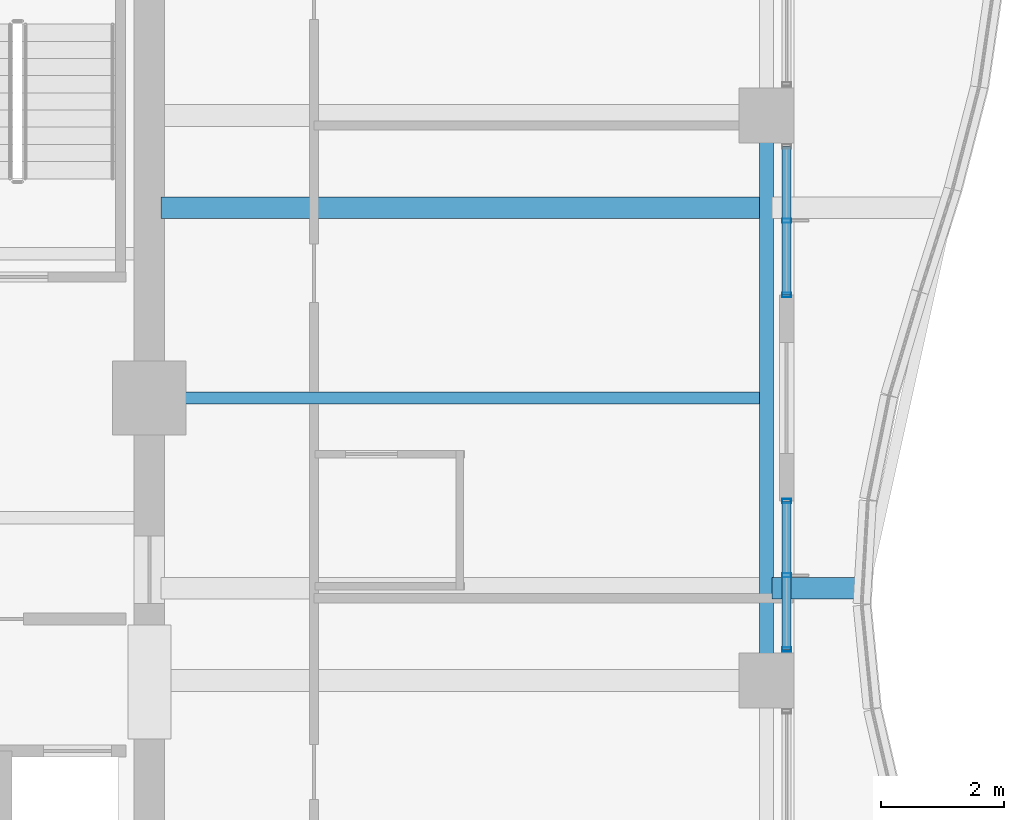
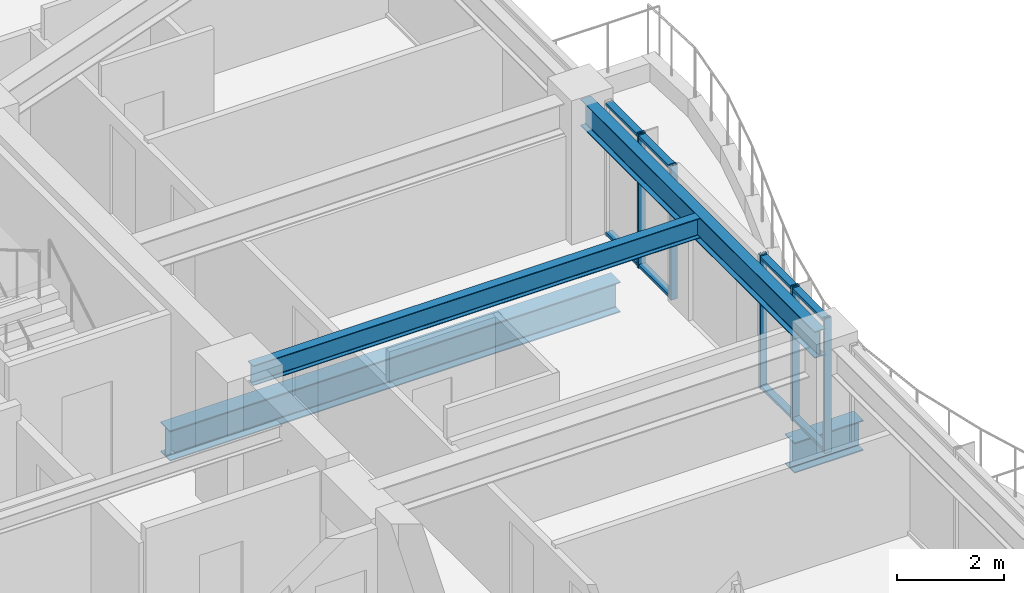
# One storey, part 13 of 34: 9 members, 4 beams, 2 elements without a shape of their own.
"""IFC4 building model written with IfcOpenShell, lengths in metres."""

from ifc_helpers import new_model, si_unit, direction, frame, origin, origin_2d, place, context, subcontext, project, spatial, hollow_rectangle, i_section, extrude, material, material_profile, profile_set, type_object, element, aggregate, save


model = new_model("IFC4")

# Units and contexts
model_context = context("Model", 3, precision=1e-05, world=origin(), true_north=direction((0.0, 1.0)))
body_context = subcontext(model_context, "Body", "Model", "MODEL_VIEW")
ifc_project = project(units=[si_unit("LENGTHUNIT", "METRE"), si_unit("AREAUNIT", "SQUARE_METRE"), si_unit("VOLUMEUNIT", "CUBIC_METRE"), si_unit("PLANEANGLEUNIT", "RADIAN"), si_unit("MASSUNIT", "GRAM", prefix="KILO")], contexts=[model_context])

# Site, building, storey
site_placement = place(None, origin())
site = spatial("IfcSite", under=ifc_project, at=site_placement, CompositionType="ELEMENT")
building_placement = place(site_placement, origin())
building = spatial("IfcBuilding", under=site, at=building_placement, Name="Kolvaren Belvedere", CompositionType="ELEMENT")
storey_placement = place(building_placement, frame((0.0, 0.0, 189.89990234375)))
storey = spatial("IfcBuildingStorey", under=building, at=storey_placement, Name="L55", CompositionType="ELEMENT", Elevation=189.89990234375)

# Beams
ifc_material_1 = material(Name="Structural steel ASTM A992 Grade 50", Category="steel")
ifc_material_profile_1 = material_profile(ifc_material_1, i_section(OverallWidth=0.35498046875, OverallDepth=0.696044921875, WebThickness=0.015380859375, FlangeThickness=0.02490234375, FilletRadius=0.02197265625, at=origin_2d()), Name="W27X146")
ifc_profile_set_1 = profile_set([ifc_material_profile_1], Name="Structural steel ASTM A992 Grade 50")
beam_type_1 = type_object("IfcBeamType", Name="BM-CANT-BAL", PredefinedType="BEAM", material=ifc_profile_set_1)
beam_1_placement = place(storey_placement, frame((20.044921875, -3.10009765625, -0.56787109375), z_axis=(1.0, 0.0, 0.0), x_axis=(0.0, 1.0, 0.0)))
element("IfcBeam", 1, at=beam_1_placement, inside=storey, type_object=beam_type_1, Name="L55 Planted Balcony Cantilever BAL-E-1", PredefinedType="BEAM", context=body_context, shape_type="SweptSolid", body=[
    extrude(i_section(OverallWidth=0.35498046875, OverallDepth=0.696044921875, WebThickness=0.015380859375, FlangeThickness=0.02490234375, FilletRadius=0.02197265625, at=origin_2d()), origin(), (0.0, 0.0, 1.0), 1.49267578125),
])
ifc_material_2 = material(Name="Structural steel ASTM A992 Grade 50", Category="steel")
ifc_material_profile_2 = material_profile(ifc_material_2, i_section(OverallWidth=0.35498046875, OverallDepth=0.696044921875, WebThickness=0.015380859375, FlangeThickness=0.02490234375, FilletRadius=0.02197265625, at=origin_2d()), Name="W27X146")
ifc_profile_set_2 = profile_set([ifc_material_profile_2], Name="Structural steel ASTM A992 Grade 50")
beam_type_2 = type_object("IfcBeamType", Name="BM-GIRD-W27X146", PredefinedType="BEAM", material=ifc_profile_set_2)
beam_2_placement = place(storey_placement, frame((10.090087890625, 3.10009765625, -0.56787109375), z_axis=(1.0, 0.0, 0.0), x_axis=(0.0, 1.0, 0.0)))
element("IfcBeam", 2, at=beam_2_placement, inside=storey, type_object=beam_type_2, Name="L55 Balcony Interior Back-Span Girder BAL-E-2", PredefinedType="BEAM", context=body_context, shape_type="SweptSolid", body=[
    extrude(i_section(OverallWidth=0.35498046875, OverallDepth=0.696044921875, WebThickness=0.015380859375, FlangeThickness=0.02490234375, FilletRadius=0.02197265625, at=origin_2d()), origin(), (0.0, 0.0, 1.0), 9.764892578125),
])
ifc_material_3 = material(Name="Structural steel ASTM A992 Grade 50", Category="steel")
ifc_material_profile_3 = material_profile(ifc_material_3, i_section(OverallWidth=0.19091796875, OverallDepth=0.4599609375, WebThickness=0.010009765625, FlangeThickness=0.01611328125, FilletRadius=0.014892578125, at=origin_2d()), Name="W18X55")
ifc_profile_set_3 = profile_set([ifc_material_profile_3], Name="Structural steel ASTM A992 Grade 50")
beam_type_3 = type_object("IfcBeamType", Name="BM-JOIST-W18X55", PredefinedType="BEAM", material=ifc_profile_set_3)
beam_3_placement = place(storey_placement, frame((10.14990234375, 0.0, 2.85009765625), z_axis=(1.0, 0.0, 0.0), x_axis=(0.0, 1.0, 0.0)))
element("IfcBeam", 3, at=beam_3_placement, inside=storey, type_object=beam_type_3, Name="L55 East Centre Floor Beam", PredefinedType="BEAM", context=body_context, shape_type="SweptSolid", body=[
    extrude(i_section(OverallWidth=0.19091796875, OverallDepth=0.4599609375, WebThickness=0.010009765625, FlangeThickness=0.01611328125, FilletRadius=0.014892578125, at=origin_2d()), origin(), (0.0, 0.0, 1.0), 9.685546875),
])
ifc_material_4 = material(Name="Structural steel ASTM A992 Grade 50", Category="steel")
ifc_material_profile_4 = material_profile(ifc_material_4, i_section(OverallWidth=0.22900390625, OverallDepth=0.612060546875, WebThickness=0.011962890625, FlangeThickness=0.01953125, FilletRadius=0.01806640625, at=origin_2d()), Name="W24X84")
ifc_profile_set_4 = profile_set([ifc_material_profile_4], Name="Structural steel ASTM A992 Grade 50")
beam_type_4 = type_object("IfcBeamType", Name="BM-SPAN-W24X84", PredefinedType="SPANDREL", material=ifc_profile_set_4)
beam_4_placement = place(storey_placement, frame((19.949951171875, -4.3974609375, 2.774169921875), z_axis=(0.0, 1.0, 0.0), x_axis=(-1.0, 0.0, 0.0)))
element("IfcBeam", 4, at=beam_4_placement, inside=storey, type_object=beam_type_4, Name="L55 Perimeter Spandrel E2-E3", PredefinedType="SPANDREL", context=body_context, shape_type="SweptSolid", body=[
    extrude(i_section(OverallWidth=0.22900390625, OverallDepth=0.612060546875, WebThickness=0.011962890625, FlangeThickness=0.01953125, FilletRadius=0.01806640625, at=origin_2d()), origin(), (0.0, 0.0, 1.0), 8.794921875),
])

# Curtain wall, members
ifc_material_5 = material(Name="Anodised pale-metal aluminium AA 6063-T6", Category="aluminium")
curtain_wall_type = type_object("IfcCurtainWallType", Name="CW-Z5-HIGH", PredefinedType="NOTDEFINED", material=ifc_material_5)
curtain_wall_1_placement = place(storey_placement, origin())
curtain_wall_1 = element("IfcCurtainWall", 5, at=curtain_wall_1_placement, inside=storey, type_object=curtain_wall_type, Name="L55 Unitised Curtain Wall FCW-L55-E1-B2", PredefinedType="NOTDEFINED")
ifc_material_6 = material(Name="Anodised pale-metal aluminium AA 6063-T6", Category="aluminium")
ifc_material_profile_5 = material_profile(ifc_material_6, hollow_rectangle(XDim=0.070068359375, YDim=0.14990234375, WallThickness=0.004150390625, at=origin_2d()), Name="ALU-MUL-150X70")
ifc_profile_set_5 = profile_set([ifc_material_profile_5], Name="Anodised pale-metal aluminium AA 6063-T6")
member_type_1 = type_object("IfcMemberType", Name="CW-MUL-150", PredefinedType="MULLION", material=ifc_profile_set_5)
member_1_placement = place(storey_placement, frame((20.280029296875, 2.887451171875, 0.0), z_axis=(0.0, 0.0, 1.0), x_axis=(0.0, 1.0, 0.0)))
member_1 = element("IfcMember", 6, at=member_1_placement, type_object=member_type_1, Name="FCW-L55-E1-B2 Unitised Mullion 2", PredefinedType="MULLION", context=body_context, shape_type="SweptSolid", body=[
    extrude(hollow_rectangle(XDim=0.070068359375, YDim=0.14990234375, WallThickness=0.004150390625, at=origin_2d()), origin(), (0.0, 0.0, 1.0), 3.080078125),
])
member_2_placement = place(storey_placement, frame((20.280029296875, 1.679931640625, 0.0), z_axis=(0.0, 0.0, 1.0), x_axis=(0.0, 1.0, 0.0)))
member_2 = element("IfcMember", 7, at=member_2_placement, type_object=member_type_1, Name="FCW-L55-E1-B2 Unitised Mullion 3", PredefinedType="MULLION", context=body_context, shape_type="SweptSolid", body=[
    extrude(hollow_rectangle(XDim=0.070068359375, YDim=0.14990234375, WallThickness=0.004150390625, at=origin_2d()), origin(), (0.0, 0.0, 1.0), 3.080078125),
])

curtain_wall_2_placement = place(storey_placement, origin())
curtain_wall_2 = element("IfcCurtainWall", 8, at=curtain_wall_2_placement, inside=storey, type_object=curtain_wall_type, Name="L55 Unitised Curtain Wall FCW-L55-E2-B1", PredefinedType="NOTDEFINED")
member_3_placement = place(storey_placement, frame((20.280029296875, -1.679931640625, 0.0), z_axis=(0.0, 0.0, 1.0), x_axis=(0.0, 1.0, 0.0)))
member_3 = element("IfcMember", 9, at=member_3_placement, type_object=member_type_1, Name="FCW-L55-E2-B1 Unitised Mullion 1", PredefinedType="MULLION", context=body_context, shape_type="SweptSolid", body=[
    extrude(hollow_rectangle(XDim=0.070068359375, YDim=0.14990234375, WallThickness=0.004150390625, at=origin_2d()), origin(), (0.0, 0.0, 1.0), 3.080078125),
])
member_4_placement = place(storey_placement, frame((20.280029296875, -2.887451171875, 0.0), z_axis=(0.0, 0.0, 1.0), x_axis=(0.0, 1.0, 0.0)))
member_4 = element("IfcMember", 10, at=member_4_placement, type_object=member_type_1, Name="FCW-L55-E2-B1 Unitised Mullion 2", PredefinedType="MULLION", context=body_context, shape_type="SweptSolid", body=[
    extrude(hollow_rectangle(XDim=0.070068359375, YDim=0.14990234375, WallThickness=0.004150390625, at=origin_2d()), origin(), (0.0, 0.0, 1.0), 3.080078125),
])
member_5_placement = place(storey_placement, frame((20.280029296875, -4.094970703125, 0.0), z_axis=(0.0, 0.0, 1.0), x_axis=(0.0, 1.0, 0.0)))
member_5 = element("IfcMember", 11, at=member_5_placement, type_object=member_type_1, Name="FCW-L55-E2-B1 Unitised Mullion 3", PredefinedType="MULLION", context=body_context, shape_type="SweptSolid", body=[
    extrude(hollow_rectangle(XDim=0.070068359375, YDim=0.14990234375, WallThickness=0.004150390625, at=origin_2d()), origin(), (0.0, 0.0, 1.0), 3.080078125),
])

# Member
ifc_material_7 = material(Name="Anodised pale-metal aluminium AA 6063-T6", Category="aluminium")
ifc_material_profile_6 = material_profile(ifc_material_7, hollow_rectangle(XDim=0.06494140625, YDim=0.14990234375, WallThickness=0.00390625, at=origin_2d()), Name="ALU-TRN-150X65")
ifc_profile_set_6 = profile_set([ifc_material_profile_6], Name="Anodised pale-metal aluminium AA 6063-T6")
member_type_2 = type_object("IfcMemberType", Name="CW-TRN-150", PredefinedType="USERDEFINED", material=ifc_profile_set_6)
member_6_placement = place(storey_placement, frame((20.280029296875, 4.094970703125, 0.06005859375), z_axis=(0.0, -1.0, 0.0), x_axis=(0.0, 0.0, 1.0)))
member_6 = element("IfcMember", 12, at=member_6_placement, type_object=member_type_2, Name="FCW-L55-E1-B2 Sill Transom", ObjectType="TRANSOM", PredefinedType="USERDEFINED", context=body_context, shape_type="SweptSolid", body=[
    extrude(hollow_rectangle(XDim=0.06494140625, YDim=0.14990234375, WallThickness=0.00390625, at=origin_2d()), origin(), (0.0, 0.0, 1.0), 2.4150390625),
])

member_7_placement = place(storey_placement, frame((20.280029296875, 4.094970703125, 3.02001953125), z_axis=(0.0, -1.0, 0.0), x_axis=(0.0, 0.0, 1.0)))
member_7 = element("IfcMember", 13, at=member_7_placement, type_object=member_type_2, Name="FCW-L55-E1-B2 Head Transom", ObjectType="TRANSOM", PredefinedType="USERDEFINED", context=body_context, shape_type="SweptSolid", body=[
    extrude(hollow_rectangle(XDim=0.06494140625, YDim=0.14990234375, WallThickness=0.00390625, at=origin_2d()), origin(), (0.0, 0.0, 1.0), 2.4150390625),
])

aggregate(curtain_wall_1, [member_1, member_2, member_6, member_7])

member_8_placement = place(storey_placement, frame((20.280029296875, -1.679931640625, 0.06005859375), z_axis=(0.0, -1.0, 0.0), x_axis=(0.0, 0.0, 1.0)))
member_8 = element("IfcMember", 14, at=member_8_placement, type_object=member_type_2, Name="FCW-L55-E2-B1 Sill Transom", ObjectType="TRANSOM", PredefinedType="USERDEFINED", context=body_context, shape_type="SweptSolid", body=[
    extrude(hollow_rectangle(XDim=0.06494140625, YDim=0.14990234375, WallThickness=0.00390625, at=origin_2d()), origin(), (0.0, 0.0, 1.0), 2.4150390625),
])

member_9_placement = place(storey_placement, frame((20.280029296875, -1.679931640625, 3.02001953125), z_axis=(0.0, -1.0, 0.0), x_axis=(0.0, 0.0, 1.0)))
member_9 = element("IfcMember", 15, at=member_9_placement, type_object=member_type_2, Name="FCW-L55-E2-B1 Head Transom", ObjectType="TRANSOM", PredefinedType="USERDEFINED", context=body_context, shape_type="SweptSolid", body=[
    extrude(hollow_rectangle(XDim=0.06494140625, YDim=0.14990234375, WallThickness=0.00390625, at=origin_2d()), origin(), (0.0, 0.0, 1.0), 2.4150390625),
])

aggregate(curtain_wall_2, [member_3, member_4, member_5, member_8, member_9])

save(model, "model.ifc")
